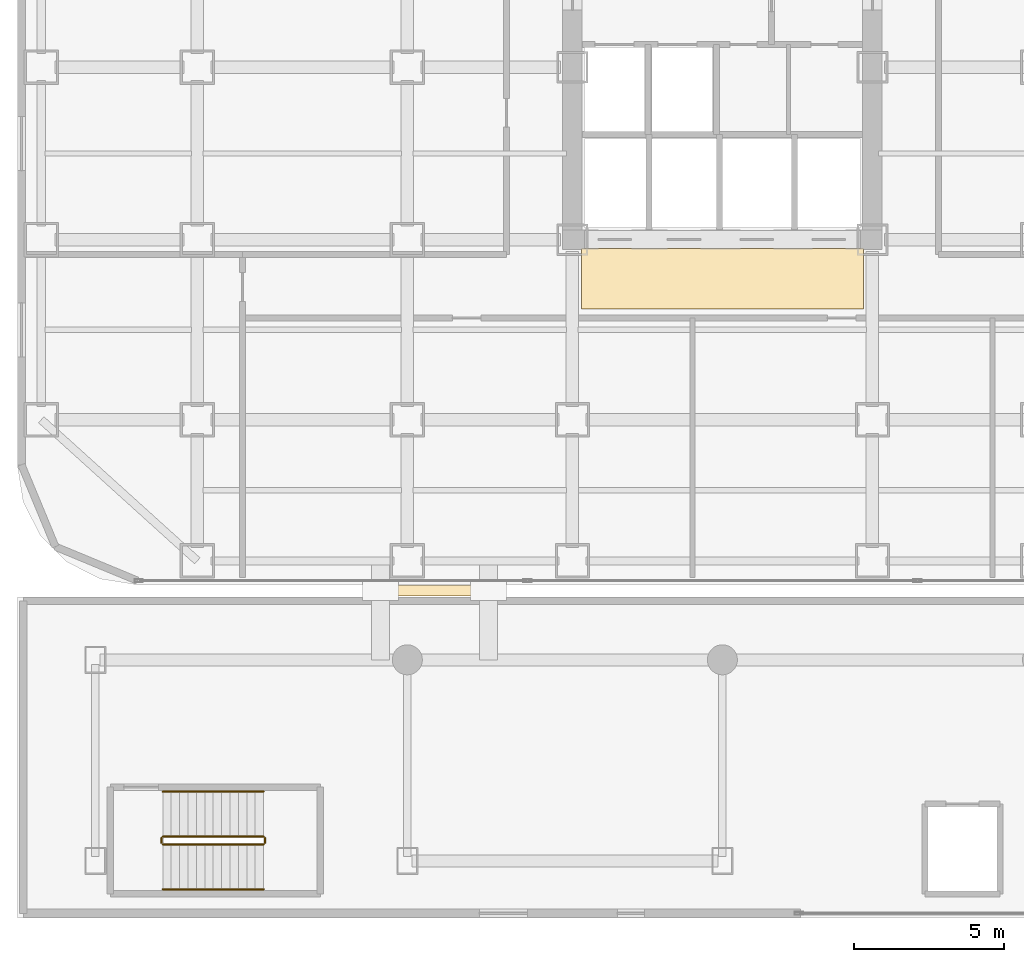
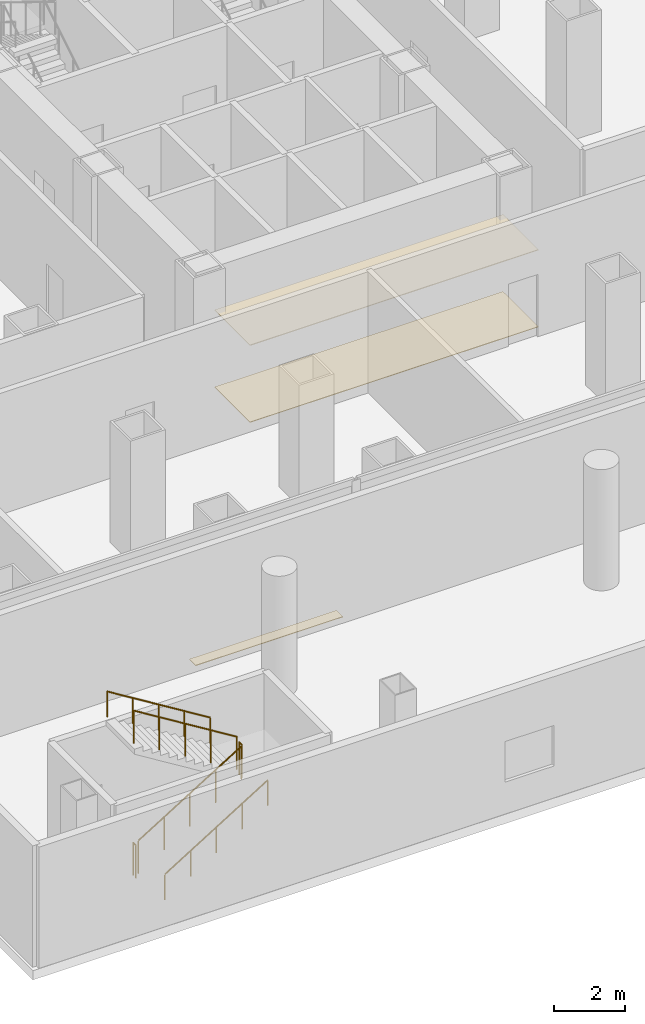
# One storey, part 23 of 26: 6 railings, 3 coverings.
"""IFC4 building model written with IfcOpenShell, lengths in metres."""

from ifc_helpers import new_model, si_unit, direction, frame, origin, origin_2d, place, context, subcontext, project, spatial, polyline, circle, outline, extrude, material, layer, layer_set, type_object, element, save


model = new_model("IFC4")

# Units and contexts
model_context = context("Model", 3, precision=1e-05, world=origin(), true_north=direction((0.0, 1.0)))
body_context = subcontext(model_context, "Body", "Model", "MODEL_VIEW")
ifc_project = project(units=[si_unit("LENGTHUNIT", "METRE"), si_unit("AREAUNIT", "SQUARE_METRE"), si_unit("VOLUMEUNIT", "CUBIC_METRE"), si_unit("PLANEANGLEUNIT", "RADIAN"), si_unit("MASSUNIT", "GRAM", prefix="KILO")], contexts=[model_context])

# Site, building, storey
site_placement = place(None, origin())
site = spatial("IfcSite", under=ifc_project, at=site_placement, CompositionType="ELEMENT")
building_placement = place(site_placement, origin())
building = spatial("IfcBuilding", under=site, at=building_placement, Name="Kolveth Station Tower", CompositionType="ELEMENT")
storey_placement = place(building_placement, frame((0.0, 0.0, 9.0)))
storey = spatial("IfcBuildingStorey", under=building, at=storey_placement, Name="L02", CompositionType="ELEMENT", Elevation=9.0)

# Coverings
ifc_material_1 = material(Name="Acoustic mineral-fibre ceiling tile")
ifc_layer_1 = layer(ifc_material_1, 0.02490234375)
ifc_layer_set_1 = layer_set([ifc_layer_1], Name="Acoustic mineral-fibre ceiling tile")
covering_type_1 = type_object("IfcCoveringType", Name="Ceil_CL1", PredefinedType="CEILING", material=ifc_layer_set_1)
covering_1_placement = place(storey_placement, frame((0.0, 0.0, 2.64990234375)))
element("IfcCovering", 1, at=covering_1_placement, inside=storey, type_object=covering_type_1, Name="L02 Lift Lobby Suspended Ceiling", PredefinedType="CEILING", context=body_context, shape_type="SweptSolid", body=[
    extrude(outline(polyline([(18.800048828125, 9.199951171875), (28.199951171875, 9.199951171875), (28.199951171875, 11.199951171875), (18.800048828125, 11.199951171875), (18.800048828125, 9.199951171875)])), origin(), (0.0, 0.0, 1.0), 0.025146484375),
])
ifc_material_2 = material(Name="Honed terrazzo flooring")
ifc_layer_2 = layer(ifc_material_2, 0.02001953125)
ifc_layer_set_2 = layer_set([ifc_layer_2], Name="Honed terrazzo flooring")
covering_type_2 = type_object("IfcCoveringType", Name="Floor_FL1", PredefinedType="FLOORING", material=ifc_layer_set_2)
covering_2_placement = place(storey_placement, frame((0.0, 0.0, -0.02001953125)))
element("IfcCovering", 2, at=covering_2_placement, inside=storey, type_object=covering_type_2, Name="L02 Seismic Joint Concourse Threshold Flooring 1", PredefinedType="FLOORING", context=body_context, shape_type="SweptSolid", body=[
    extrude(outline(polyline([(11.5, -0.3798828125), (16.300048828125, -0.3798828125), (16.300048828125, -0.02001953125), (11.5, -0.02001953125), (11.5, -0.3798828125)])), origin(), (0.0, 0.0, 1.0), 0.02001953125),
])
covering_3_placement = place(storey_placement, origin())
element("IfcCovering", 3, at=covering_3_placement, inside=storey, type_object=covering_type_2, Name="L02 Lift Lobby Floor Finish", PredefinedType="FLOORING", context=body_context, shape_type="SweptSolid", body=[
    extrude(outline(polyline([(18.800048828125, 9.199951171875), (28.199951171875, 9.199951171875), (28.199951171875, 11.199951171875), (18.800048828125, 11.199951171875), (18.800048828125, 9.199951171875)])), origin(), (0.0, 0.0, 1.0), 0.02001953125),
])

# Railings
ifc_material_3 = material(Name="Painted Steel S355 balustrade", Category="steel")
railing_type_1 = type_object("IfcRailingType", Name="Guard_GR2", PredefinedType="BALUSTRADE", material=ifc_material_3)
railing_1_placement = place(storey_placement, frame((4.85009765625, -8.64990234375, 0.173095703125)))
element("IfcRailing", 4, at=railing_1_placement, inside=storey, type_object=railing_type_1, Name="L02 ST5 stair guard 1", PredefinedType="BALUSTRADE", context=body_context, shape_type="SweptSolid", body=[
    extrude(circle(Radius=0.02392578125, at=origin_2d()), frame((0.0, 0.0, 1.1259765625), z_axis=(0.850606129759, 0.0, 0.525803396734), x_axis=(0.0, 1.0, 0.0)), (0.0, 0.0, 1.0), 3.949951171875),
    extrude(circle(Radius=0.02099609375, at=origin_2d()), origin(), (0.0, 0.0, 1.0), 1.101806640625),
    extrude(circle(Radius=0.02099609375, at=origin_2d()), frame((0.83984375, 0.0, 0.519287109375)), (0.0, 0.0, 1.0), 1.101806640625),
    extrude(circle(Radius=0.02099609375, at=origin_2d()), frame((1.679931640625, 0.0, 1.03857421875)), (0.0, 0.0, 1.0), 1.101806640625),
    extrude(circle(Radius=0.02099609375, at=origin_2d()), frame((2.52001953125, 0.0, 1.5576171875)), (0.0, 0.0, 1.0), 1.101806640625),
    extrude(circle(Radius=0.02099609375, at=origin_2d()), frame((3.35986328125, 0.0, 2.076904296875)), (0.0, 0.0, 1.0), 1.101806640625),
])
railing_2_placement = place(storey_placement, frame((8.260009765625, -8.60009765625, 2.25)))
element("IfcRailing", 5, at=railing_2_placement, inside=storey, type_object=railing_type_1, Name="L02 ST5 stair guard 2", PredefinedType="BALUSTRADE", context=body_context, shape_type="SweptSolid", body=[
    extrude(circle(Radius=0.02392578125, at=origin_2d()), frame((0.0, 0.0, 1.1259765625), z_axis=(0.0, 1.0, 0.0), x_axis=(-1.0, 0.0, 0.0)), (0.0, 0.0, 1.0), 0.16015625),
    extrude(circle(Radius=0.02099609375, at=origin_2d()), origin(), (0.0, 0.0, 1.0), 1.101806640625),
    extrude(circle(Radius=0.02099609375, at=origin_2d()), frame((0.0, 0.16015625, 0.0)), (0.0, 0.0, 1.0), 1.101806640625),
])
railing_3_placement = place(storey_placement, frame((8.2099609375, -8.389892578125, 2.423095703125)))
element("IfcRailing", 6, at=railing_3_placement, inside=storey, type_object=railing_type_1, Name="L02 ST5 stair guard 3", PredefinedType="BALUSTRADE", context=body_context, shape_type="SweptSolid", body=[
    extrude(circle(Radius=0.02392578125, at=origin_2d()), frame((0.0, 0.0, 1.1259765625), z_axis=(-0.850606129759, 0.0, 0.525803396734), x_axis=(0.0, -1.0, 0.0)), (0.0, 0.0, 1.0), 3.949951171875),
    extrude(circle(Radius=0.02099609375, at=origin_2d()), origin(), (0.0, 0.0, 1.0), 1.101806640625),
    extrude(circle(Radius=0.02099609375, at=origin_2d()), frame((-0.83984375, 0.0, 0.519287109375)), (0.0, 0.0, 1.0), 1.101806640625),
    extrude(circle(Radius=0.02099609375, at=origin_2d()), frame((-1.679931640625, 0.0, 1.03857421875)), (0.0, 0.0, 1.0), 1.101806640625),
    extrude(circle(Radius=0.02099609375, at=origin_2d()), frame((-2.52001953125, 0.0, 1.5576171875)), (0.0, 0.0, 1.0), 1.101806640625),
    extrude(circle(Radius=0.02099609375, at=origin_2d()), frame((-3.35986328125, 0.0, 2.076904296875)), (0.0, 0.0, 1.0), 1.101806640625),
])
railing_4_placement = place(storey_placement, frame((4.800048828125, -8.60009765625, 0.0)))
element("IfcRailing", 7, at=railing_4_placement, inside=storey, type_object=railing_type_1, Name="L02 ST5 stair guard 4", PredefinedType="BALUSTRADE", context=body_context, shape_type="SweptSolid", body=[
    extrude(circle(Radius=0.02392578125, at=origin_2d()), frame((0.0, 0.0, 1.1259765625), z_axis=(0.0, 1.0, 0.0), x_axis=(-1.0, 0.0, 0.0)), (0.0, 0.0, 1.0), 0.16015625),
    extrude(circle(Radius=0.02099609375, at=origin_2d()), origin(), (0.0, 0.0, 1.0), 1.101806640625),
    extrude(circle(Radius=0.02099609375, at=origin_2d()), frame((0.0, 0.16015625, 0.0)), (0.0, 0.0, 1.0), 1.101806640625),
])
ifc_material_4 = material(Name="Brushed stainless steel", Category="steel")
railing_type_2 = type_object("IfcRailingType", Name="Handrail_HR1", PredefinedType="HANDRAIL", material=ifc_material_4)
railing_5_placement = place(storey_placement, frame((4.85009765625, -10.14990234375, 0.173095703125)))
element("IfcRailing", 8, at=railing_5_placement, inside=storey, type_object=railing_type_2, Name="L02 ST5 stair handrail 1", PredefinedType="HANDRAIL", context=body_context, shape_type="SweptSolid", body=[
    extrude(circle(Radius=0.02392578125, at=origin_2d()), frame((0.0, 0.0, 0.8759765625), z_axis=(0.850606129759, 0.0, 0.525803396734), x_axis=(0.0, 1.0, 0.0)), (0.0, 0.0, 1.0), 3.949951171875),
    extrude(circle(Radius=0.02099609375, at=origin_2d()), origin(), (0.0, 0.0, 1.0), 0.851806640625),
    extrude(circle(Radius=0.02099609375, at=origin_2d()), frame((0.83984375, 0.0, 0.519287109375)), (0.0, 0.0, 1.0), 0.851806640625),
    extrude(circle(Radius=0.02099609375, at=origin_2d()), frame((1.679931640625, 0.0, 1.03857421875)), (0.0, 0.0, 1.0), 0.851806640625),
    extrude(circle(Radius=0.02099609375, at=origin_2d()), frame((2.52001953125, 0.0, 1.5576171875)), (0.0, 0.0, 1.0), 0.851806640625),
    extrude(circle(Radius=0.02099609375, at=origin_2d()), frame((3.35986328125, 0.0, 2.076904296875)), (0.0, 0.0, 1.0), 0.851806640625),
])
railing_6_placement = place(storey_placement, frame((8.2099609375, -6.889892578125, 2.423095703125)))
element("IfcRailing", 9, at=railing_6_placement, inside=storey, type_object=railing_type_2, Name="L02 ST5 stair handrail 2", PredefinedType="HANDRAIL", context=body_context, shape_type="SweptSolid", body=[
    extrude(circle(Radius=0.02392578125, at=origin_2d()), frame((0.0, 0.0, 0.8759765625), z_axis=(-0.850606129759, 0.0, 0.525803396734), x_axis=(0.0, -1.0, 0.0)), (0.0, 0.0, 1.0), 3.949951171875),
    extrude(circle(Radius=0.02099609375, at=origin_2d()), origin(), (0.0, 0.0, 1.0), 0.851806640625),
    extrude(circle(Radius=0.02099609375, at=origin_2d()), frame((-0.83984375, 0.0, 0.519287109375)), (0.0, 0.0, 1.0), 0.851806640625),
    extrude(circle(Radius=0.02099609375, at=origin_2d()), frame((-1.679931640625, 0.0, 1.03857421875)), (0.0, 0.0, 1.0), 0.851806640625),
    extrude(circle(Radius=0.02099609375, at=origin_2d()), frame((-2.52001953125, 0.0, 1.5576171875)), (0.0, 0.0, 1.0), 0.851806640625),
    extrude(circle(Radius=0.02099609375, at=origin_2d()), frame((-3.35986328125, 0.0, 2.076904296875)), (0.0, 0.0, 1.0), 0.851806640625),
])

save(model, "model.ifc")
